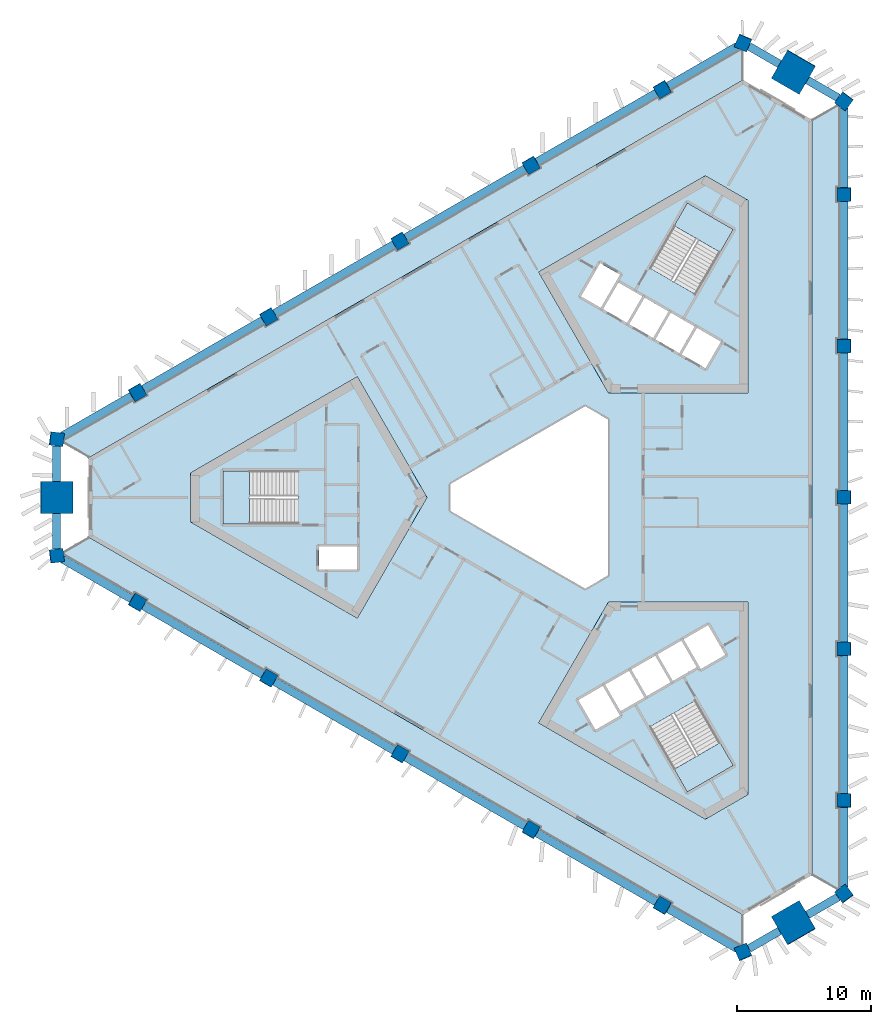
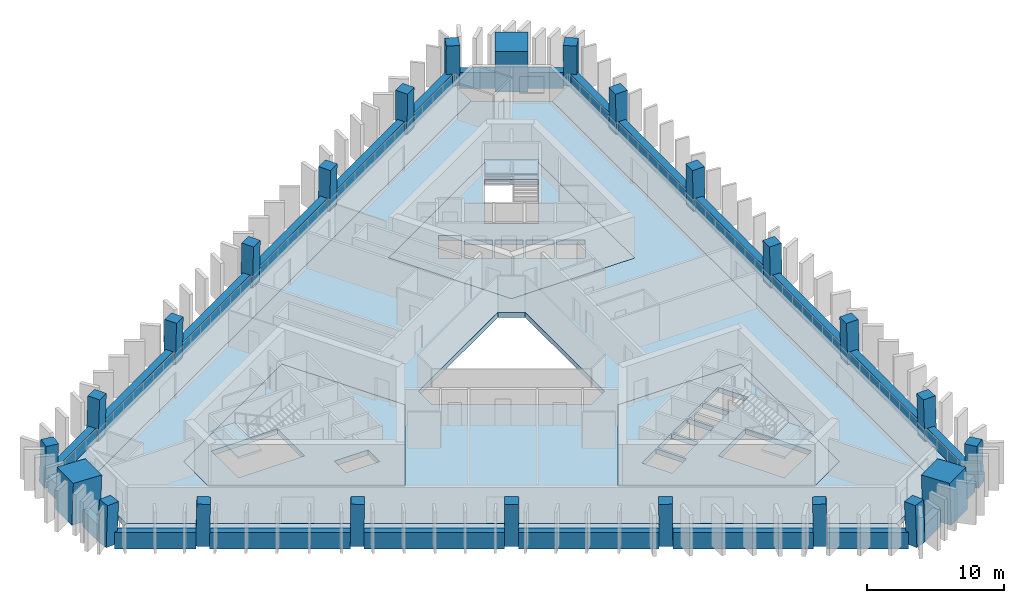
# One storey, part 1 of 9: 24 beams, 24 columns, 10 slabs, 3 elements without a shape of their own.
"""IFC4 building model written with IfcOpenShell, lengths in metres."""

from ifc_helpers import new_model, si_unit, direction, frame, origin, origin_2d, place, context, subcontext, project, spatial, polyline, rectangle, outline, extrude, material, layer, layer_set, material_profile, profile_set, type_object, element, aggregate, save


model = new_model("IFC4")

# Units and contexts
model_context = context("Model", 3, precision=1e-05, world=origin(), true_north=direction((0.0, 1.0)))
body_context = subcontext(model_context, "Body", "Model", "MODEL_VIEW")
ifc_project = project(units=[si_unit("LENGTHUNIT", "METRE"), si_unit("AREAUNIT", "SQUARE_METRE"), si_unit("VOLUMEUNIT", "CUBIC_METRE"), si_unit("PLANEANGLEUNIT", "RADIAN"), si_unit("MASSUNIT", "GRAM", prefix="KILO")], contexts=[model_context])

# Site, building, storey
site_placement = place(None, origin())
site = spatial("IfcSite", under=ifc_project, at=site_placement, CompositionType="ELEMENT")
building_placement = place(site_placement, origin())
building = spatial("IfcBuilding", under=site, at=building_placement, Name="Jabali Bay Hotel Tower and Convention Centre", CompositionType="ELEMENT")
storey_placement = place(building_placement, frame((0.0, 0.0, 129.0)))
storey = spatial("IfcBuildingStorey", under=building, at=storey_placement, Name="L31", CompositionType="ELEMENT", Elevation=129.0)

# Columns
ifc_material_1 = material(Name="Concrete C60", Category="concrete")
ifc_material_profile_1 = material_profile(ifc_material_1, rectangle(XDim=1.0, YDim=1.0, at=origin_2d()), Name="Frame column 1000")
ifc_profile_set_1 = profile_set([ifc_material_profile_1], Name="Concrete C60")
column_type_1 = type_object("IfcColumnType", Name="Frame column 1000", PredefinedType="COLUMN", material=ifc_profile_set_1)
column_1_placement = place(storey_placement, frame((83.519287109375, 110.38134765625, 0.0), z_axis=(-0.008376454378, -0.028163354484, 0.999568237028), x_axis=(0.865853490665, 0.499842344986, 0.021339232902)))
element("IfcColumn", 1, at=column_1_placement, inside=storey, type_object=column_type_1, Name="FC3 F1.1 L31", PredefinedType="COLUMN", context=body_context, shape_type="SweptSolid", body=[
    extrude(rectangle(XDim=1.0, YDim=1.0, at=origin_2d()), origin(), (0.0, 0.0, 1.0), 3.70166015625),
])
column_2_placement = place(storey_placement, frame((73.746826171875, 104.739013671875, 0.0), z_axis=(0.000857580205, -0.022758859284, 0.9997406158), x_axis=(0.865999914472, 0.499930977311, 0.010637953697)))
element("IfcColumn", 2, at=column_2_placement, inside=storey, type_object=column_type_1, Name="FC3 F1.2 L31", PredefinedType="COLUMN", context=body_context, shape_type="SweptSolid", body=[
    extrude(rectangle(XDim=1.0, YDim=1.0, at=origin_2d()), origin(), (0.0, 0.0, 1.0), 3.700927734375),
])
column_3_placement = place(storey_placement, frame((63.974365234375, 99.096923828125, 0.0), z_axis=(0.010093620709, -0.017482414954, 0.999796221231), x_axis=(0.86601685016, 0.500014815019, 2.20911e-07)))
element("IfcColumn", 3, at=column_3_placement, inside=storey, type_object=column_type_1, Name="FC3 F1.3 L31", PredefinedType="COLUMN", context=body_context, shape_type="SweptSolid", body=[
    extrude(rectangle(XDim=1.0, YDim=1.0, at=origin_2d()), origin(), (0.0, 0.0, 1.0), 3.70068359375),
])
column_4_placement = place(storey_placement, frame((54.201904296875, 93.454833984375, 0.0), z_axis=(0.019328516974, -0.012138044789, 0.999739504221), x_axis=(-0.500214302693, 0.865666432488, 0.020181155676)))
element("IfcColumn", 4, at=column_4_placement, inside=storey, type_object=column_type_1, Name="FC3 F1.4 L31", PredefinedType="COLUMN", context=body_context, shape_type="SweptSolid", body=[
    extrude(rectangle(XDim=1.0, YDim=1.0, at=origin_2d()), origin(), (0.0, 0.0, 1.0), 3.700927734375),
])
for number, where, z_axis, x_axis, name in (
    (5, (44.429443359375, 87.812744140625, 0.0), (0.02855911485, -0.006793507689, 0.999569019734), (-0.500399895775, 0.865559193602, 0.020179858252), "FC3 F1.5 L31"),
    (6, (44.429443359375, 72.187255859375, 0.0), (0.02855911485, 0.006793507689, 0.999569019734), (-0.865323246693, 0.500760552185, 0.021320133879), "FC3 F2.1 L31"),
):
    element("IfcColumn", number, at=place(storey_placement, frame(where, z_axis=z_axis, x_axis=x_axis)), inside=storey, type_object=column_type_1, Name=name, PredefinedType="COLUMN", context=body_context, shape_type="SweptSolid", body=[
        extrude(rectangle(XDim=1.0, YDim=1.0, at=origin_2d()), origin(), (0.0, 0.0, 1.0), 3.70166015625),
    ])
column_5_placement = place(storey_placement, frame((54.201904296875, 66.545166015625, 0.0), z_axis=(0.019328516974, 0.012138044789, 0.999739504221), x_axis=(-0.865685889808, 0.500474070789, 0.010660424724)))
element("IfcColumn", 7, at=column_5_placement, inside=storey, type_object=column_type_1, Name="FC3 F2.2 L31", PredefinedType="COLUMN", context=body_context, shape_type="SweptSolid", body=[
    extrude(rectangle(XDim=1.0, YDim=1.0, at=origin_2d()), origin(), (0.0, 0.0, 1.0), 3.700927734375),
])
column_6_placement = place(storey_placement, frame((63.974365234375, 60.903076171875, 0.0), z_axis=(0.010093620709, 0.017482414954, 0.999796221231), x_axis=(-0.499912926478, -0.865840372083, 0.020187025823)))
element("IfcColumn", 8, at=column_6_placement, inside=storey, type_object=column_type_1, Name="FC3 F2.3 L31", PredefinedType="COLUMN", context=body_context, shape_type="SweptSolid", body=[
    extrude(rectangle(XDim=1.0, YDim=1.0, at=origin_2d()), origin(), (0.0, 0.0, 1.0), 3.70068359375),
])
column_7_placement = place(storey_placement, frame((73.746826171875, 55.260986328125, 0.0), z_axis=(0.000857580205, 0.022758859284, 0.9997406158), x_axis=(-0.500043410805, -0.865766164879, 0.020137901104)))
element("IfcColumn", 9, at=column_7_placement, inside=storey, type_object=column_type_1, Name="FC3 F2.4 L31", PredefinedType="COLUMN", context=body_context, shape_type="SweptSolid", body=[
    extrude(rectangle(XDim=1.0, YDim=1.0, at=origin_2d()), origin(), (0.0, 0.0, 1.0), 3.700927734375),
])
for number, where, z_axis, x_axis, name in (
    (10, (83.519287109375, 49.61865234375, 0.0), (-0.008376454378, 0.028163354484, 0.999568237028), (-0.500227515951, -0.8656583943, 0.02019843219), "FC3 F2.5 L31"),
    (11, (97.05126953125, 57.431396484375, 0.0), (-0.020182631348, 0.021369844956, 0.999567902205), (-0.001315292007, -0.999771248084, 0.021347634776), "FC3 F0.1 L31"),
):
    element("IfcColumn", number, at=place(storey_placement, frame(where, z_axis=z_axis, x_axis=x_axis)), inside=storey, type_object=column_type_1, Name=name, PredefinedType="COLUMN", context=body_context, shape_type="SweptSolid", body=[
        extrude(rectangle(XDim=1.0, YDim=1.0, at=origin_2d()), origin(), (0.0, 0.0, 1.0), 3.70166015625),
    ])
column_8_placement = place(storey_placement, frame((97.05126953125, 68.7158203125, 0.0), z_axis=(-0.020186102726, 0.010620792611, 0.999739826165), x_axis=(0.001543238363, -0.999942052594, 0.01065410105)))
element("IfcColumn", 12, at=column_8_placement, inside=storey, type_object=column_type_1, Name="FC3 F0.2 L31", PredefinedType="COLUMN", context=body_context, shape_type="SweptSolid", body=[
    extrude(rectangle(XDim=1.0, YDim=1.0, at=origin_2d()), origin(), (0.0, 0.0, 1.0), 3.700927734375),
])
column_9_placement = place(storey_placement, frame((97.05126953125, 80.0, 0.0), z_axis=(-0.020187241331, 0.0, 0.99979621688), x_axis=(0.0, -1.0, 0.0)))
element("IfcColumn", 13, at=column_9_placement, inside=storey, type_object=column_type_1, Name="FC3 F0.3 L31", PredefinedType="COLUMN", context=body_context, shape_type="SweptSolid", body=[
    extrude(rectangle(XDim=1.0, YDim=1.0, at=origin_2d()), origin(), (0.0, 0.0, 1.0), 3.70068359375),
])
column_10_placement = place(storey_placement, frame((97.05126953125, 91.2841796875, 0.0), z_axis=(-0.020186102726, -0.010620792611, 0.999739826165), x_axis=(0.999795048834, -0.001757901631, 0.020168542579)))
element("IfcColumn", 14, at=column_10_placement, inside=storey, type_object=column_type_1, Name="FC3 F0.4 L31", PredefinedType="COLUMN", context=body_context, shape_type="SweptSolid", body=[
    extrude(rectangle(XDim=1.0, YDim=1.0, at=origin_2d()), origin(), (0.0, 0.0, 1.0), 3.700927734375),
])
column_11_placement = place(storey_placement, frame((97.05126953125, 102.568603515625, 0.0), z_axis=(-0.020182631348, -0.021369844956, 0.999567902205), x_axis=(0.999795444778, 0.000883872229, 0.020206122118)))
element("IfcColumn", 15, at=column_11_placement, inside=storey, type_object=column_type_1, Name="FC3 F0.5 L31", PredefinedType="COLUMN", context=body_context, shape_type="SweptSolid", body=[
    extrude(rectangle(XDim=1.0, YDim=1.0, at=origin_2d()), origin(), (0.0, 0.0, 1.0), 3.70166015625),
])
for number, where, z_axis, x_axis, name in (
    (16, (97.05126953125, 50.488525390625, 0.0), (-0.02017878048, 0.028949296179, 0.999377183584), (-0.800537343211, -0.599281680449, 0.001195660224), "FC3 V0 L31"),
    (17, (97.05126953125, 109.511474609375, 0.0), (-0.02017878048, -0.028949296179, 0.999377183584), (0.598943051503, 0.800014628447, 0.035267766127), "FC3 V1 L31"),
    (18, (89.5322265625, 113.852783203125, 0.0), (-0.015035141917, -0.031982648376, 0.99937533225), (0.918873906118, -0.394549503695, 0.001197409522), "FC3 V2 L31"),
    (19, (38.41650390625, 84.34130859375, 0.0), (0.035213880193, -0.00303340541, 0.999375195356), (-0.99220839725, 0.119476823942, 0.03532399987), "FC3 V3 L31"),
    (20, (38.41650390625, 75.65869140625, 0.0), (0.035213880193, 0.00303340541, 0.999375195356), (-0.11950932628, 0.992832355935, 0.001197472244), "FC3 V4 L31"),
    (21, (89.5322265625, 46.147216796875, 0.0), (-0.015035141917, 0.031982648376, 0.99937533225), (0.394264745017, -0.918317918445, 0.035320128823), "FC3 V5 L31"),
):
    element("IfcColumn", number, at=place(storey_placement, frame(where, z_axis=z_axis, x_axis=x_axis)), inside=storey, type_object=column_type_1, Name=name, PredefinedType="COLUMN", context=body_context, shape_type="SweptSolid", body=[
        extrude(rectangle(XDim=1.0, YDim=1.0, at=origin_2d()), origin(), (0.0, 0.0, 1.0), 3.7021484375),
    ])
ifc_material_2 = material(Name="Concrete C70", Category="concrete")
ifc_material_profile_2 = material_profile(ifc_material_2, rectangle(XDim=2.39990234375, YDim=2.39990234375, at=origin_2d()), Name="Mega column 2400")
ifc_profile_set_2 = profile_set([ifc_material_profile_2], Name="Concrete C70")
column_type_2 = type_object("IfcColumnType", Name="Mega column 2400", PredefinedType="COLUMN", material=ifc_profile_set_2)
for number, where, z_axis, x_axis, name in (
    (22, (93.291748046875, 111.68212890625, 0.0), (-0.017607037296, -0.030466109479, 0.999380712447), (0.865812389079, -0.500368770925, 1.01334e-07), "MC3 M1 L31"),
    (23, (38.41650390625, 80.0, 0.0), (0.035214042205, 0.0, 0.999379793288), (0.0, 1.0, 0.0), "MC3 M0 L31"),
    (24, (93.291748046875, 48.31787109375, 0.0), (-0.017607037296, 0.030466109479, 0.999380712447), (0.500058895686, -0.865276204028, 0.035187946645), "MC3 M2 L31"),
):
    element("IfcColumn", number, at=place(storey_placement, frame(where, z_axis=z_axis, x_axis=x_axis)), inside=storey, type_object=column_type_2, Name=name, PredefinedType="COLUMN", context=body_context, shape_type="SweptSolid", body=[
        extrude(rectangle(XDim=2.39990234375, YDim=2.39990234375, at=origin_2d()), origin(), (0.0, 0.0, 1.0), 3.7021484375),
    ])

# Beams
ifc_material_profile_3 = material_profile(ifc_material_1, rectangle(XDim=0.60009765625, YDim=1.449951171875, at=origin_2d()), Name="Spandrel 600x1450")
ifc_profile_set_3 = profile_set([ifc_material_profile_3], Name="Concrete C60")
beam_type = type_object("IfcBeamType", Name="Spandrel 600x1450", PredefinedType="SPANDREL", material=ifc_profile_set_3)
beam_1_placement = place(storey_placement, frame((92.245849609375, 112.270751953125, 0.375), z_axis=(-0.86602080971, 0.500007957085, 0.0), x_axis=(-0.500007957085, -0.86602080971, 0.0)))
element("IfcBeam", 25, at=beam_1_placement, inside=storey, type_object=beam_type, Name="Spandrel M1-V2 L31", PredefinedType="SPANDREL", context=body_context, shape_type="SweptSolid", body=[
    extrude(rectangle(XDim=0.60009765625, YDim=1.449951171875, at=origin_2d()), origin(), (0.0, 0.0, 1.0), 2.64013671875),
])
beam_2_placement = place(storey_placement, frame((89.093505859375, 113.5908203125, 0.375), z_axis=(-0.866013791575, -0.500020112397, 0.0), x_axis=(0.500020112397, -0.866013791575, 0.0)))
element("IfcBeam", 26, at=beam_2_placement, inside=storey, type_object=beam_type, Name="Spandrel V2-F1.1 L31", PredefinedType="SPANDREL", context=body_context, shape_type="SweptSolid", body=[
    extrude(rectangle(XDim=0.60009765625, YDim=1.449951171875, at=origin_2d()), origin(), (0.0, 0.0, 1.0), 5.940185546875),
])
beam_3_placement = place(storey_placement, frame((83.0830078125, 110.12060546875, 0.375), z_axis=(-0.866021855091, -0.500006146467, 0.0), x_axis=(0.500006146467, -0.866021855091, 0.0)))
element("IfcBeam", 27, at=beam_3_placement, inside=storey, type_object=beam_type, Name="Spandrel F1.1-F1.2 L31", PredefinedType="SPANDREL", context=body_context, shape_type="SweptSolid", body=[
    extrude(rectangle(XDim=0.60009765625, YDim=1.449951171875, at=origin_2d()), origin(), (0.0, 0.0, 1.0), 10.280029296875),
])
for number, where, z_axis, x_axis, name in (
    (28, (73.314208984375, 104.48046875, 0.375), (-0.866027792241, -0.49999586305, 0.0), (0.49999586305, -0.866027792241, 0.0), "Spandrel F1.2-F1.3 L31"),
    (29, (63.545166015625, 98.84033203125, 0.375), (-0.866027792241, -0.49999586305, 0.0), (0.49999586305, -0.866027792241, 0.0), "Spandrel F1.3-F1.4 L31"),
):
    element("IfcBeam", number, at=place(storey_placement, frame(where, z_axis=z_axis, x_axis=x_axis)), inside=storey, type_object=beam_type, Name=name, PredefinedType="SPANDREL", context=body_context, shape_type="SweptSolid", body=[
        extrude(rectangle(XDim=0.60009765625, YDim=1.449951171875, at=origin_2d()), origin(), (0.0, 0.0, 1.0), 10.2802734375),
    ])
beam_4_placement = place(storey_placement, frame((53.776123046875, 93.2001953125, 0.375), z_axis=(-0.866021855091, -0.500006146467, 0.0), x_axis=(0.500006146467, -0.866021855091, 0.0)))
element("IfcBeam", 30, at=beam_4_placement, inside=storey, type_object=beam_type, Name="Spandrel F1.4-F1.5 L31", PredefinedType="SPANDREL", context=body_context, shape_type="SweptSolid", body=[
    extrude(rectangle(XDim=0.60009765625, YDim=1.449951171875, at=origin_2d()), origin(), (0.0, 0.0, 1.0), 10.280029296875),
])
beam_5_placement = place(storey_placement, frame((44.007080078125, 87.56005859375, 0.375), z_axis=(-0.866031588603, -0.499989287426, 0.0), x_axis=(0.499989287426, -0.866031588603, 0.0)))
element("IfcBeam", 31, at=beam_5_placement, inside=storey, type_object=beam_type, Name="Spandrel F1.5-V3 L31", PredefinedType="SPANDREL", context=body_context, shape_type="SweptSolid", body=[
    extrude(rectangle(XDim=0.60009765625, YDim=1.449951171875, at=origin_2d()), origin(), (0.0, 0.0, 1.0), 5.940185546875),
])
for number, where, z_axis, x_axis, name in (
    (32, (38.4296875, 83.840087890625, 0.375), (0.0, -1.0, 0.0), (1.0, 0.0, 0.0), "Spandrel V3-M0 L31"),
    (33, (38.4296875, 78.800048828125, 0.375), (0.0, -1.0, 0.0), (1.0, 0.0, 0.0), "Spandrel M0-V4 L31"),
):
    element("IfcBeam", number, at=place(storey_placement, frame(where, z_axis=z_axis, x_axis=x_axis)), inside=storey, type_object=beam_type, Name=name, PredefinedType="SPANDREL", context=body_context, shape_type="SweptSolid", body=[
        extrude(rectangle(XDim=0.60009765625, YDim=1.449951171875, at=origin_2d()), origin(), (0.0, 0.0, 1.0), 2.64013671875),
    ])
beam_6_placement = place(storey_placement, frame((38.86279296875, 75.409912109375, 0.375), z_axis=(0.866031588603, -0.499989287426, 0.0), x_axis=(0.499989287426, 0.866031588603, 0.0)))
element("IfcBeam", 34, at=beam_6_placement, inside=storey, type_object=beam_type, Name="Spandrel V4-F2.1 L31", PredefinedType="SPANDREL", context=body_context, shape_type="SweptSolid", body=[
    extrude(rectangle(XDim=0.60009765625, YDim=1.449951171875, at=origin_2d()), origin(), (0.0, 0.0, 1.0), 5.940185546875),
])
beam_7_placement = place(storey_placement, frame((44.873291015625, 71.93994140625, 0.375), z_axis=(0.866021855091, -0.500006146467, 0.0), x_axis=(0.500006146467, 0.866021855091, 0.0)))
element("IfcBeam", 35, at=beam_7_placement, inside=storey, type_object=beam_type, Name="Spandrel F2.1-F2.2 L31", PredefinedType="SPANDREL", context=body_context, shape_type="SweptSolid", body=[
    extrude(rectangle(XDim=0.60009765625, YDim=1.449951171875, at=origin_2d()), origin(), (0.0, 0.0, 1.0), 10.280029296875),
])
for number, where, z_axis, x_axis, name in (
    (36, (54.64208984375, 66.2998046875, 0.375), (0.866027792241, -0.49999586305, 0.0), (0.49999586305, 0.866027792241, 0.0), "Spandrel F2.2-F2.3 L31"),
    (37, (64.4111328125, 60.65966796875, 0.375), (0.866027792241, -0.49999586305, 0.0), (0.49999586305, 0.866027792241, 0.0), "Spandrel F2.3-F2.4 L31"),
):
    element("IfcBeam", number, at=place(storey_placement, frame(where, z_axis=z_axis, x_axis=x_axis)), inside=storey, type_object=beam_type, Name=name, PredefinedType="SPANDREL", context=body_context, shape_type="SweptSolid", body=[
        extrude(rectangle(XDim=0.60009765625, YDim=1.449951171875, at=origin_2d()), origin(), (0.0, 0.0, 1.0), 10.2802734375),
    ])
beam_8_placement = place(storey_placement, frame((74.18017578125, 55.01953125, 0.375), z_axis=(0.866021855091, -0.500006146467, 0.0), x_axis=(0.500006146467, 0.866021855091, 0.0)))
element("IfcBeam", 38, at=beam_8_placement, inside=storey, type_object=beam_type, Name="Spandrel F2.4-F2.5 L31", PredefinedType="SPANDREL", context=body_context, shape_type="SweptSolid", body=[
    extrude(rectangle(XDim=0.60009765625, YDim=1.449951171875, at=origin_2d()), origin(), (0.0, 0.0, 1.0), 10.280029296875),
])
beam_9_placement = place(storey_placement, frame((83.94921875, 49.37939453125, 0.375), z_axis=(0.866013791575, -0.500020112397, 0.0), x_axis=(0.500020112397, 0.866013791575, 0.0)))
element("IfcBeam", 39, at=beam_9_placement, inside=storey, type_object=beam_type, Name="Spandrel F2.5-V5 L31", PredefinedType="SPANDREL", context=body_context, shape_type="SweptSolid", body=[
    extrude(rectangle(XDim=0.60009765625, YDim=1.449951171875, at=origin_2d()), origin(), (0.0, 0.0, 1.0), 5.940185546875),
])
for number, where, z_axis, x_axis, name in (
    (40, (89.95947265625, 46.4091796875, 0.375), (0.86602080971, 0.500007957085, 0.0), (-0.500007957085, 0.86602080971, 0.0), "Spandrel V5-M2 L31"),
    (41, (94.32421875, 48.92919921875, 0.375), (0.86602080971, 0.500007957085, 0.0), (-0.500007957085, 0.86602080971, 0.0), "Spandrel M2-V0 L31"),
):
    element("IfcBeam", number, at=place(storey_placement, frame(where, z_axis=z_axis, x_axis=x_axis)), inside=storey, type_object=beam_type, Name=name, PredefinedType="SPANDREL", context=body_context, shape_type="SweptSolid", body=[
        extrude(rectangle(XDim=0.60009765625, YDim=1.449951171875, at=origin_2d()), origin(), (0.0, 0.0, 1.0), 2.64013671875),
    ])
beam_10_placement = place(storey_placement, frame((97.043701171875, 50.999267578125, 0.375), z_axis=(0.0, 1.0, 0.0), x_axis=(-1.0, 0.0, 0.0)))
element("IfcBeam", 42, at=beam_10_placement, inside=storey, type_object=beam_type, Name="Spandrel V0-F0.1 L31", PredefinedType="SPANDREL", context=body_context, shape_type="SweptSolid", body=[
    extrude(rectangle(XDim=0.60009765625, YDim=1.449951171875, at=origin_2d()), origin(), (0.0, 0.0, 1.0), 5.940185546875),
])
for number, where, z_axis, x_axis, name in (
    (43, (97.043701171875, 57.939453125, 0.375), (0.0, 1.0, 0.0), (-1.0, 0.0, 0.0), "Spandrel F0.1-F0.2 L31"),
    (44, (97.043701171875, 69.2197265625, 0.375), (0.0, 1.0, 0.0), (-1.0, 0.0, 0.0), "Spandrel F0.2-F0.3 L31"),
    (45, (97.043701171875, 80.5, 0.375), (0.0, 1.0, 0.0), (-1.0, 0.0, 0.0), "Spandrel F0.3-F0.4 L31"),
    (46, (97.043701171875, 91.7802734375, 0.375), (0.0, 1.0, 0.0), (-1.0, 0.0, 0.0), "Spandrel F0.4-F0.5 L31"),
):
    element("IfcBeam", number, at=place(storey_placement, frame(where, z_axis=z_axis, x_axis=x_axis)), inside=storey, type_object=beam_type, Name=name, PredefinedType="SPANDREL", context=body_context, shape_type="SweptSolid", body=[
        extrude(rectangle(XDim=0.60009765625, YDim=1.449951171875, at=origin_2d()), origin(), (0.0, 0.0, 1.0), 10.2802734375),
    ])
beam_11_placement = place(storey_placement, frame((97.043701171875, 103.060546875, 0.375), z_axis=(0.0, 1.0, 0.0), x_axis=(-1.0, 0.0, 0.0)))
element("IfcBeam", 47, at=beam_11_placement, inside=storey, type_object=beam_type, Name="Spandrel F0.5-V1 L31", PredefinedType="SPANDREL", context=body_context, shape_type="SweptSolid", body=[
    extrude(rectangle(XDim=0.60009765625, YDim=1.449951171875, at=origin_2d()), origin(), (0.0, 0.0, 1.0), 5.940185546875),
])
beam_12_placement = place(storey_placement, frame((96.610595703125, 109.750732421875, 0.375), z_axis=(-0.86602080971, 0.500007957085, 0.0), x_axis=(-0.500007957085, -0.86602080971, 0.0)))
element("IfcBeam", 48, at=beam_12_placement, inside=storey, type_object=beam_type, Name="Spandrel V1-M1 L31", PredefinedType="SPANDREL", context=body_context, shape_type="SweptSolid", body=[
    extrude(rectangle(XDim=0.60009765625, YDim=1.449951171875, at=origin_2d()), origin(), (0.0, 0.0, 1.0), 2.64013671875),
])

# Slabs
ifc_material_3 = material(Name="Concrete C40", Category="concrete")
ifc_layer_1 = layer(ifc_material_3, 0.449951171875)
ifc_layer_set_1 = layer_set([ifc_layer_1], Name="Concrete C40")
slab_type_1 = type_object("IfcSlabType", Name="Core floor slab 450", PredefinedType="FLOOR", material=ifc_layer_set_1)
slab_1_placement = place(storey_placement, frame((0.0, 0.0, -0.449951171875)))
element("IfcSlab", 49, at=slab_1_placement, inside=storey, type_object=slab_type_1, Name="Core floor slab 1 L31", PredefinedType="FLOOR", context=body_context, shape_type="SweptSolid", body=[
    extrude(outline(polyline([(66.0, 80.0), (60.81005859375, 88.9892578125), (48.39697265625, 81.82275390625), (48.39697265625, 78.17724609375), (60.81005859375, 71.0107421875), (66.0, 80.0)]), holes=[polyline([(60.800048828125, 76.35009765625), (57.949951171875, 76.35009765625), (57.949951171875, 74.64990234375), (60.800048828125, 74.64990234375), (60.800048828125, 76.35009765625)]), polyline([(50.820068359375, 81.97509765625), (50.820068359375, 78.02490234375), (56.409912109375, 78.02490234375), (56.409912109375, 81.97509765625), (50.820068359375, 81.97509765625)])]), origin(), (0.0, 0.0, 1.0), 0.449951171875),
])
slab_2_placement = place(storey_placement, frame((0.0, 0.0, -0.449951171875)))
element("IfcSlab", 50, at=slab_2_placement, inside=storey, type_object=slab_type_1, Name="Core floor slab 2 L31", PredefinedType="FLOOR", context=body_context, shape_type="SweptSolid", body=[
    extrude(outline(polyline([(79.5, 87.794189453125), (89.8798828125, 87.794189453125), (89.8798828125, 102.127685546875), (86.72314453125, 103.9501953125), (74.31005859375, 96.78369140625), (79.5, 87.794189453125)]), holes=[polyline([(84.957763671875, 90.6474609375), (86.733154296875, 89.62255859375), (87.873291015625, 91.59716796875), (86.097900390625, 92.6220703125), (84.957763671875, 90.6474609375)]), polyline([(84.1494140625, 93.7470703125), (83.00927734375, 91.7724609375), (84.78466796875, 90.74755859375), (85.924560546875, 92.72216796875), (84.1494140625, 93.7470703125)]), polyline([(82.20068359375, 94.8720703125), (81.060791015625, 92.8974609375), (82.836181640625, 91.87255859375), (83.97607421875, 93.84716796875), (82.20068359375, 94.8720703125)]), polyline([(79.1123046875, 94.0224609375), (80.887451171875, 92.99755859375), (82.027587890625, 94.97216796875), (80.252197265625, 95.9970703125), (79.1123046875, 94.0224609375)]), polyline([(78.891845703125, 97.440673828125), (77.466796875, 94.97265625), (78.93896484375, 94.12255859375), (80.364013671875, 96.5908203125), (78.891845703125, 97.440673828125)]), polyline([(82.584716796875, 97.0869140625), (86.00537109375, 95.11181640625), (88.80029296875, 99.952880859375), (85.379638671875, 101.927978515625), (82.584716796875, 97.0869140625)])]), origin(), (0.0, 0.0, 1.0), 0.449951171875),
])
slab_3_placement = place(storey_placement, frame((0.0, 0.0, -0.449951171875)))
element("IfcSlab", 51, at=slab_3_placement, inside=storey, type_object=slab_type_1, Name="Core floor slab 3 L31", PredefinedType="FLOOR", context=body_context, shape_type="SweptSolid", body=[
    extrude(outline(polyline([(79.5, 72.205810546875), (74.31005859375, 63.21630859375), (86.72314453125, 56.0498046875), (89.8798828125, 57.872314453125), (89.8798828125, 72.205810546875), (79.5, 72.205810546875)]), holes=[polyline([(82.584716796875, 62.9130859375), (85.379638671875, 58.072021484375), (88.80029296875, 60.047119140625), (86.00537109375, 64.88818359375), (82.584716796875, 62.9130859375)]), polyline([(80.365478515625, 63.756591796875), (79.090576171875, 65.96484375), (77.27197265625, 64.9150390625), (78.546875, 62.70654296875), (80.365478515625, 63.756591796875)]), polyline([(82.17919921875, 65.115478515625), (81.0390625, 67.08984375), (79.263671875, 66.06494140625), (80.40380859375, 64.09033203125), (82.17919921875, 65.115478515625)]), polyline([(82.98779296875, 68.21484375), (81.21240234375, 67.18994140625), (82.352294921875, 65.21533203125), (84.127685546875, 66.240478515625), (82.98779296875, 68.21484375)]), polyline([(86.076171875, 67.365478515625), (84.936279296875, 69.33984375), (83.160888671875, 68.31494140625), (84.30078125, 66.34033203125), (86.076171875, 67.365478515625)]), polyline([(88.203125, 68.281494140625), (86.927978515625, 70.489990234375), (85.109375, 69.43994140625), (86.384521484375, 67.231689453125), (88.203125, 68.281494140625)])]), origin(), (0.0, 0.0, 1.0), 0.449951171875),
])
ifc_layer_2 = layer(ifc_material_3, 0.199951171875)
ifc_layer_set_2 = layer_set([ifc_layer_2], Name="Concrete C40")
slab_type_2 = type_object("IfcSlabType", Name="Loggia slab 200", PredefinedType="FLOOR", material=ifc_layer_set_2)
slab_4_placement = place(storey_placement, frame((0.0, 0.0, -0.199951171875)))
element("IfcSlab", 52, at=slab_4_placement, inside=storey, type_object=slab_type_2, Name="Loggia slab east face L31", PredefinedType="FLOOR", context=body_context, shape_type="SweptSolid", body=[
    extrude(outline(polyline([(94.6513671875, 108.1259765625), (96.580078125, 109.239501953125), (96.751220703125, 109.111572265625), (96.751220703125, 103.068603515625), (96.55126953125, 103.068603515625), (96.55126953125, 102.068603515625), (96.751220703125, 102.068603515625), (96.751220703125, 91.7841796875), (96.55126953125, 91.7841796875), (96.55126953125, 90.7841796875), (96.751220703125, 90.7841796875), (96.751220703125, 80.5), (96.55126953125, 80.5), (96.55126953125, 79.5), (96.751220703125, 79.5), (96.751220703125, 69.2158203125), (96.55126953125, 69.2158203125), (96.55126953125, 68.2158203125), (96.751220703125, 68.2158203125), (96.751220703125, 57.931396484375), (96.55126953125, 57.931396484375), (96.55126953125, 56.931396484375), (96.751220703125, 56.931396484375), (96.751220703125, 50.888427734375), (96.580078125, 50.760498046875), (94.6513671875, 51.8740234375), (94.6513671875, 108.1259765625)])), origin(), (0.0, 0.0, 1.0), 0.199951171875),
])
slab_5_placement = place(storey_placement, frame((0.0, 0.0, -0.199951171875)))
element("IfcSlab", 53, at=slab_5_placement, inside=storey, type_object=slab_type_2, Name="Loggia slab north-west face L31", PredefinedType="FLOOR", context=body_context, shape_type="SweptSolid", body=[
    extrude(outline(polyline([(40.816650390625, 82.95556640625), (38.887939453125, 84.069091796875), (38.9130859375, 84.281494140625), (44.146484375, 87.302978515625), (44.246337890625, 87.129638671875), (45.112548828125, 87.629638671875), (45.012451171875, 87.802978515625), (53.9189453125, 92.945068359375), (54.018798828125, 92.771728515625), (54.885009765625, 93.271728515625), (54.784912109375, 93.445068359375), (63.69140625, 98.587158203125), (63.791259765625, 98.4140625), (64.657470703125, 98.9140625), (64.557373046875, 99.087158203125), (73.4638671875, 104.229248046875), (73.563720703125, 104.05615234375), (74.429931640625, 104.55615234375), (74.329833984375, 104.729248046875), (83.236328125, 109.871337890625), (83.336181640625, 109.6982421875), (84.2021484375, 110.1982421875), (84.102294921875, 110.371337890625), (89.335693359375, 113.39306640625), (89.5322265625, 113.30859375), (89.5322265625, 111.08154296875), (40.816650390625, 82.95556640625)])), origin(), (0.0, 0.0, 1.0), 0.199951171875),
])
slab_6_placement = place(storey_placement, frame((0.0, 0.0, -0.199951171875)))
element("IfcSlab", 54, at=slab_6_placement, inside=storey, type_object=slab_type_2, Name="Loggia slab south-west face L31", PredefinedType="FLOOR", context=body_context, shape_type="SweptSolid", body=[
    extrude(outline(polyline([(89.5322265625, 48.91845703125), (89.5322265625, 46.69140625), (89.335693359375, 46.60693359375), (84.102294921875, 49.628662109375), (84.2021484375, 49.8017578125), (83.336181640625, 50.3017578125), (83.236328125, 50.128662109375), (74.329833984375, 55.270751953125), (74.429931640625, 55.44384765625), (73.563720703125, 55.94384765625), (73.4638671875, 55.770751953125), (64.557373046875, 60.912841796875), (64.657470703125, 61.0859375), (63.791259765625, 61.5859375), (63.69140625, 61.412841796875), (54.784912109375, 66.554931640625), (54.885009765625, 66.728271484375), (54.018798828125, 67.228271484375), (53.9189453125, 67.054931640625), (45.012451171875, 72.197021484375), (45.112548828125, 72.370361328125), (44.246337890625, 72.870361328125), (44.146484375, 72.697021484375), (38.9130859375, 75.718505859375), (38.887939453125, 75.930908203125), (40.816650390625, 77.04443359375), (89.5322265625, 48.91845703125)])), origin(), (0.0, 0.0, 1.0), 0.199951171875),
])
ifc_layer_3 = layer(ifc_material_3, 0.449951171875)
ifc_layer_set_3 = layer_set([ifc_layer_3], Name="Concrete C40")
slab_type_3 = type_object("IfcSlabType", Name="Post-tensioned flat slab 450", PredefinedType="FLOOR", material=ifc_layer_set_3)
slab_7_placement = place(storey_placement, frame((0.0, 0.0, -0.449951171875)))
element("IfcSlab", 55, at=slab_7_placement, inside=storey, type_object=slab_type_3, Name="Floor slab L31", PredefinedType="FLOOR", context=body_context, shape_type="SweptSolid", body=[
    extrude(outline(polyline([(89.5322265625, 111.08154296875), (94.6513671875, 108.1259765625), (94.6513671875, 51.8740234375), (89.5322265625, 48.91845703125), (40.816650390625, 77.04443359375), (40.816650390625, 82.95556640625), (89.5322265625, 111.08154296875)]), holes=[polyline([(67.73193359375, 79.0), (77.76806640625, 73.205810546875), (79.5, 74.205810546875), (79.5, 85.794189453125), (77.76806640625, 86.794189453125), (67.73193359375, 81.0), (67.73193359375, 79.0)]), polyline([(48.39697265625, 78.17724609375), (60.81005859375, 71.0107421875), (66.0, 80.0), (60.81005859375, 88.9892578125), (48.39697265625, 81.82275390625), (48.39697265625, 78.17724609375)]), polyline([(89.8798828125, 102.127685546875), (86.72314453125, 103.9501953125), (74.31005859375, 96.78369140625), (79.5, 87.794189453125), (89.8798828125, 87.794189453125), (89.8798828125, 102.127685546875)]), polyline([(74.31005859375, 63.21630859375), (86.72314453125, 56.0498046875), (89.8798828125, 57.872314453125), (89.8798828125, 72.205810546875), (79.5, 72.205810546875), (74.31005859375, 63.21630859375)])]), origin(), (0.0, 0.0, 1.0), 0.449951171875),
])

# Stair, slab
stair_type = type_object("IfcStairType", Name="Exit stair 1900", PredefinedType="HALF_TURN_STAIR", material=ifc_material_3)
stair_1_placement = place(storey_placement, origin())
stair_1 = element("IfcStair", 56, at=stair_1_placement, inside=storey, type_object=stair_type, Name="L31 Exit Stair 1", PredefinedType="HALF_TURN_STAIR")
ifc_layer_4 = layer(ifc_material_3, 0.199951171875)
ifc_layer_set_4 = layer_set([ifc_layer_4], Name="Concrete C40")
slab_type_4 = type_object("IfcSlabType", Name="Stair landing 200", PredefinedType="LANDING", material=ifc_layer_set_4)
slab_8_placement = place(storey_placement, frame((0.0, 0.0, 1.64990234375)))
slab_8 = element("IfcSlab", 57, at=slab_8_placement, type_object=slab_type_4, Name="ST1 landing 1", PredefinedType="LANDING", context=body_context, shape_type="SweptSolid", body=[
    extrude(outline(polyline([(52.782958984375, 81.97509765625), (50.820068359375, 81.97509765625), (50.820068359375, 78.02490234375), (52.782958984375, 78.02490234375), (52.782958984375, 81.97509765625)])), origin(), (0.0, 0.0, 1.0), 0.2001953125),
])
aggregate(stair_1, [slab_8])

stair_2_placement = place(storey_placement, origin())
stair_2 = element("IfcStair", 58, at=stair_2_placement, inside=storey, type_object=stair_type, Name="L31 Exit Stair 2", PredefinedType="HALF_TURN_STAIR")
slab_9_placement = place(storey_placement, frame((0.0, 0.0, 1.64990234375)))
slab_9 = element("IfcSlab", 59, at=slab_9_placement, type_object=slab_type_4, Name="ST2 landing 1", PredefinedType="LANDING", context=body_context, shape_type="SweptSolid", body=[
    extrude(outline(polyline([(87.81884765625, 98.2529296875), (88.80029296875, 99.952880859375), (85.379638671875, 101.927978515625), (84.398193359375, 100.22802734375), (87.81884765625, 98.2529296875)])), origin(), (0.0, 0.0, 1.0), 0.2001953125),
])
aggregate(stair_2, [slab_9])

stair_3_placement = place(storey_placement, origin())
stair_3 = element("IfcStair", 60, at=stair_3_placement, inside=storey, type_object=stair_type, Name="L31 Exit Stair 3", PredefinedType="HALF_TURN_STAIR")
slab_10_placement = place(storey_placement, frame((0.0, 0.0, 1.64990234375)))
slab_10 = element("IfcSlab", 61, at=slab_10_placement, type_object=slab_type_4, Name="ST3 landing 1", PredefinedType="LANDING", context=body_context, shape_type="SweptSolid", body=[
    extrude(outline(polyline([(84.398193359375, 59.77197265625), (85.379638671875, 58.072021484375), (88.80029296875, 60.047119140625), (87.81884765625, 61.7470703125), (84.398193359375, 59.77197265625)])), origin(), (0.0, 0.0, 1.0), 0.2001953125),
])
aggregate(stair_3, [slab_10])

save(model, "model.ifc")
